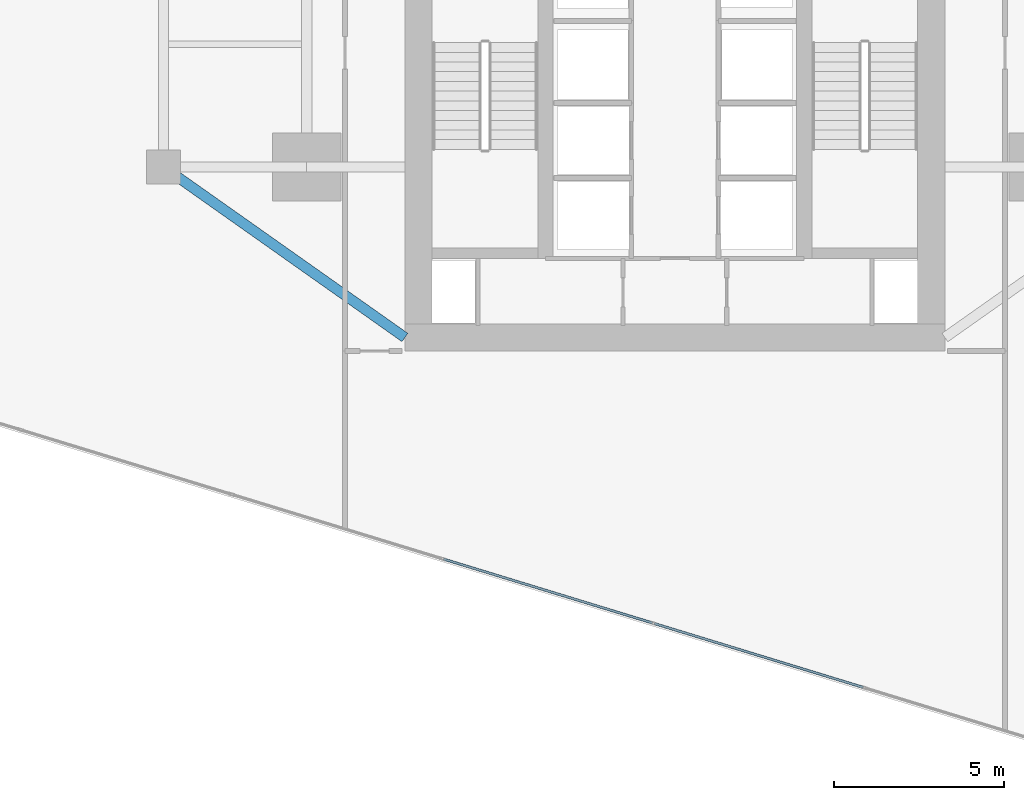
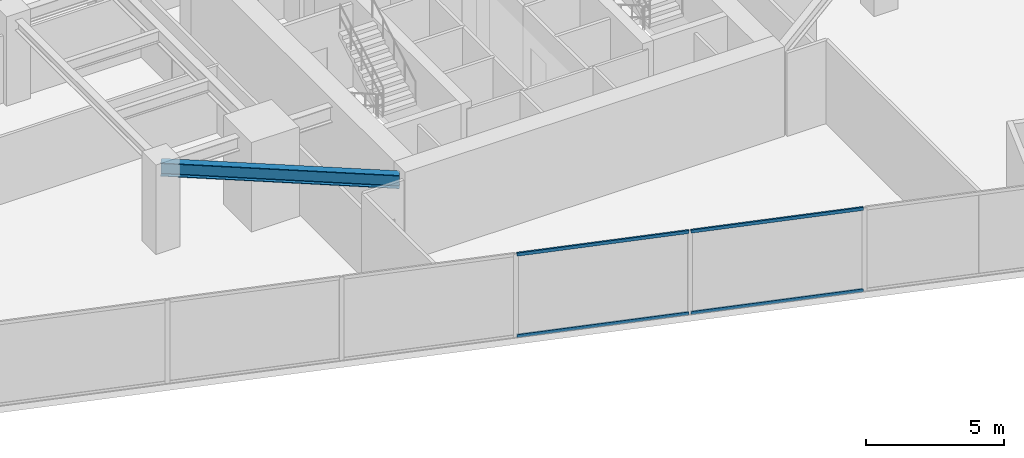
# One storey, part 4 of 26: 4 members, 1 beam, 1 element without a shape of its own.
"""IFC4 building model written with IfcOpenShell, lengths in metres."""

from ifc_helpers import new_model, si_unit, direction, frame, origin, origin_2d, place, context, subcontext, project, spatial, hollow_rectangle, i_section, extrude, source, transform, mapped, material, material_profile, profile_set, type_object, type_shapes, element, aggregate, save


model = new_model("IFC4")

# Units and contexts
model_context = context("Model", 3, precision=1e-05, world=origin(), true_north=direction((0.0, 1.0)))
body_context = subcontext(model_context, "Body", "Model", "MODEL_VIEW")
ifc_project = project(units=[si_unit("LENGTHUNIT", "METRE"), si_unit("AREAUNIT", "SQUARE_METRE"), si_unit("VOLUMEUNIT", "CUBIC_METRE"), si_unit("PLANEANGLEUNIT", "RADIAN"), si_unit("MASSUNIT", "GRAM", prefix="KILO")], contexts=[model_context])

# Site, building, storey
site_placement = place(None, origin())
site = spatial("IfcSite", under=ifc_project, at=site_placement, CompositionType="ELEMENT")
building_placement = place(site_placement, origin())
building = spatial("IfcBuilding", under=site, at=building_placement, Name="Krantzveldt Concourse Tower", CompositionType="ELEMENT")
storey_placement = place(building_placement, frame((0.0, 0.0, 109.800048828125)))
storey = spatial("IfcBuildingStorey", under=building, at=storey_placement, Name="L26", CompositionType="ELEMENT", Elevation=109.800048828125)

# Beam
ifc_material_1 = material(Name="Steel S355JR", Category="steel")
ifc_material_profile_1 = material_profile(ifc_material_1, i_section(OverallWidth=0.300048828125, OverallDepth=0.590087890625, WebThickness=0.012939453125, FlangeThickness=0.02490234375, FilletRadius=0.027099609375, at=origin_2d()), Name="Steel S355JR", Category="steel")
ifc_profile_set_1 = profile_set([ifc_material_profile_1], Name="Steel S355JR - HEA 600")
beam_type = type_object("IfcBeamType", Name="BM-B-HEA600", PredefinedType="BEAM", material=ifc_profile_set_1)
shared_shape_1 = source(origin(), body_context, "Body", "SweptSolid", [
    extrude(i_section(OverallWidth=0.300048828125, OverallDepth=0.590087890625, WebThickness=0.012939453125, FlangeThickness=0.02490234375, FilletRadius=0.027099609375, at=origin_2d()), origin(), (0.0, 0.0, 1.0), 8.667724609375),
])
type_shapes(beam_type, [shared_shape_1])
beam_placement = place(storey_placement, frame((21.0, 15.89990234375, 3.375), z_axis=(0.81684294656, -0.576860122261, 0.0), x_axis=(0.576860122261, 0.81684294656, 0.0)))
element("IfcBeam", 1, at=beam_placement, inside=storey, type_object=beam_type, Name="L26 Tower Girder BR-CSW", PredefinedType="BEAM", context=body_context, shape_type="MappedRepresentation", body=[
    mapped(shared_shape_1, transform((0.0, 0.0, 0.0), x_axis=(1.0, 0.0, 0.0), y_axis=(0.0, 1.0, 0.0), z_axis=(0.0, 0.0, 1.0), scale=1.0)),
])

# Curtain wall, members
ifc_material_2 = material(Name="Anodised aluminium 6063-T6", Category="aluminium")
curtain_wall_type = type_object("IfcCurtainWallType", Name="CW2", PredefinedType="USERDEFINED", material=ifc_material_2)
curtain_wall_placement = place(storey_placement, origin())
curtain_wall = element("IfcCurtainWall", 2, at=curtain_wall_placement, inside=storey, type_object=curtain_wall_type, Name="CW-L26-F04", ObjectType="UNITISED CURTAIN WALL", PredefinedType="USERDEFINED")
ifc_material_profile_2 = material_profile(ifc_material_2, hollow_rectangle(XDim=0.070068359375, YDim=0.139892578125, WallThickness=0.0048828125, at=origin_2d()), Name="Anodised aluminium 6063-T6", Category="aluminium")
ifc_profile_set_2 = profile_set([ifc_material_profile_2], Name="Anodised aluminium 6063-T6 - ALU-TRAN 140x70x5")
member_type = type_object("IfcMemberType", Name="CW-TRN-150", PredefinedType="USERDEFINED", material=ifc_profile_set_2)
shared_shape_2 = source(origin(), body_context, "Body", "SweptSolid", [
    extrude(hollow_rectangle(XDim=0.070068359375, YDim=0.139892578125, WallThickness=0.0048828125, at=origin_2d()), origin(), (0.0, 0.0, 1.0), 6.396728515625),
])
type_shapes(member_type, [shared_shape_2])
member_1_placement = place(storey_placement, frame((29.21826171875, 4.398193359375, 0.034912109375), z_axis=(0.956308895855, -0.292358163404, 0.0), x_axis=(0.292358163404, 0.956308895855, 0.0)))
member_1 = element("IfcMember", 3, at=member_1_placement, type_object=member_type, Name="CW-Z12 transom 4.1", ObjectType="TRANSOM", PredefinedType="USERDEFINED", context=body_context, shape_type="MappedRepresentation", body=[
    mapped(shared_shape_2, transform((0.0, 0.0, 0.0), x_axis=(1.0, 0.0, 0.0), y_axis=(0.0, 1.0, 0.0), z_axis=(0.0, 0.0, 1.0), scale=1.0)),
])
member_2_placement = place(storey_placement, frame((29.21826171875, 4.398193359375, 3.635009765625), z_axis=(0.956308895855, -0.292358163404, 0.0), x_axis=(0.292358163404, 0.956308895855, 0.0)))
member_2 = element("IfcMember", 4, at=member_2_placement, type_object=member_type, Name="CW-Z12 transom 4.2", ObjectType="TRANSOM", PredefinedType="USERDEFINED", context=body_context, shape_type="MappedRepresentation", body=[
    mapped(shared_shape_2, transform((0.0, 0.0, 0.0), x_axis=(1.0, 0.0, 0.0), y_axis=(0.0, 1.0, 0.0), z_axis=(0.0, 0.0, 1.0), scale=1.0)),
])
member_3_placement = place(storey_placement, frame((35.40234375, 2.507568359375, 0.034912109375), z_axis=(0.956308895855, -0.292358163404, 0.0), x_axis=(0.292358163404, 0.956308895855, 0.0)))
member_3 = element("IfcMember", 5, at=member_3_placement, type_object=member_type, Name="CW-Z12 transom 5.1", ObjectType="TRANSOM", PredefinedType="USERDEFINED", context=body_context, shape_type="MappedRepresentation", body=[
    mapped(shared_shape_2, transform((0.0, 0.0, 0.0), x_axis=(1.0, 0.0, 0.0), y_axis=(0.0, 1.0, 0.0), z_axis=(0.0, 0.0, 1.0), scale=1.0)),
])
member_4_placement = place(storey_placement, frame((35.40234375, 2.507568359375, 3.635009765625), z_axis=(0.956308895855, -0.292358163404, 0.0), x_axis=(0.292358163404, 0.956308895855, 0.0)))
member_4 = element("IfcMember", 6, at=member_4_placement, type_object=member_type, Name="CW-Z12 transom 5.2", ObjectType="TRANSOM", PredefinedType="USERDEFINED", context=body_context, shape_type="MappedRepresentation", body=[
    mapped(shared_shape_2, transform((0.0, 0.0, 0.0), x_axis=(1.0, 0.0, 0.0), y_axis=(0.0, 1.0, 0.0), z_axis=(0.0, 0.0, 1.0), scale=1.0)),
])
aggregate(curtain_wall, [member_1, member_2, member_3, member_4])

save(model, "model.ifc")
